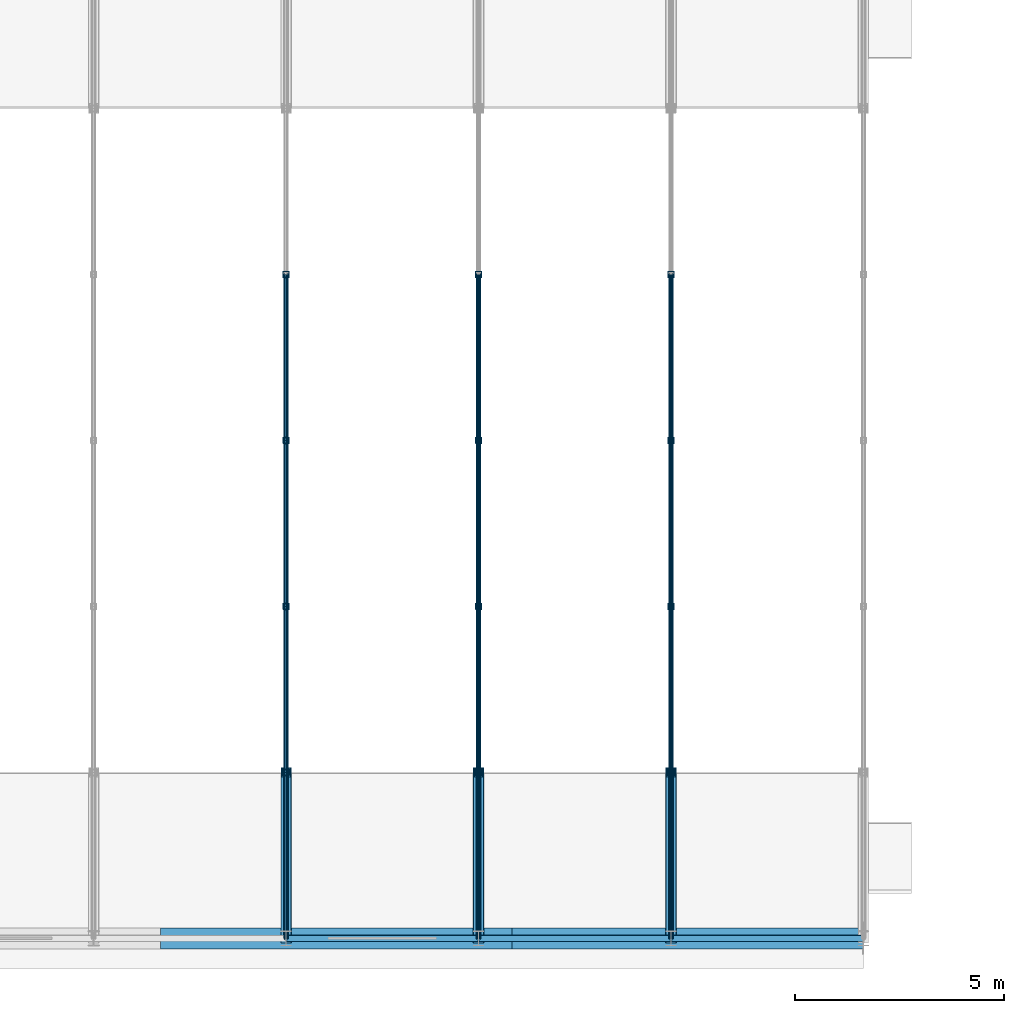
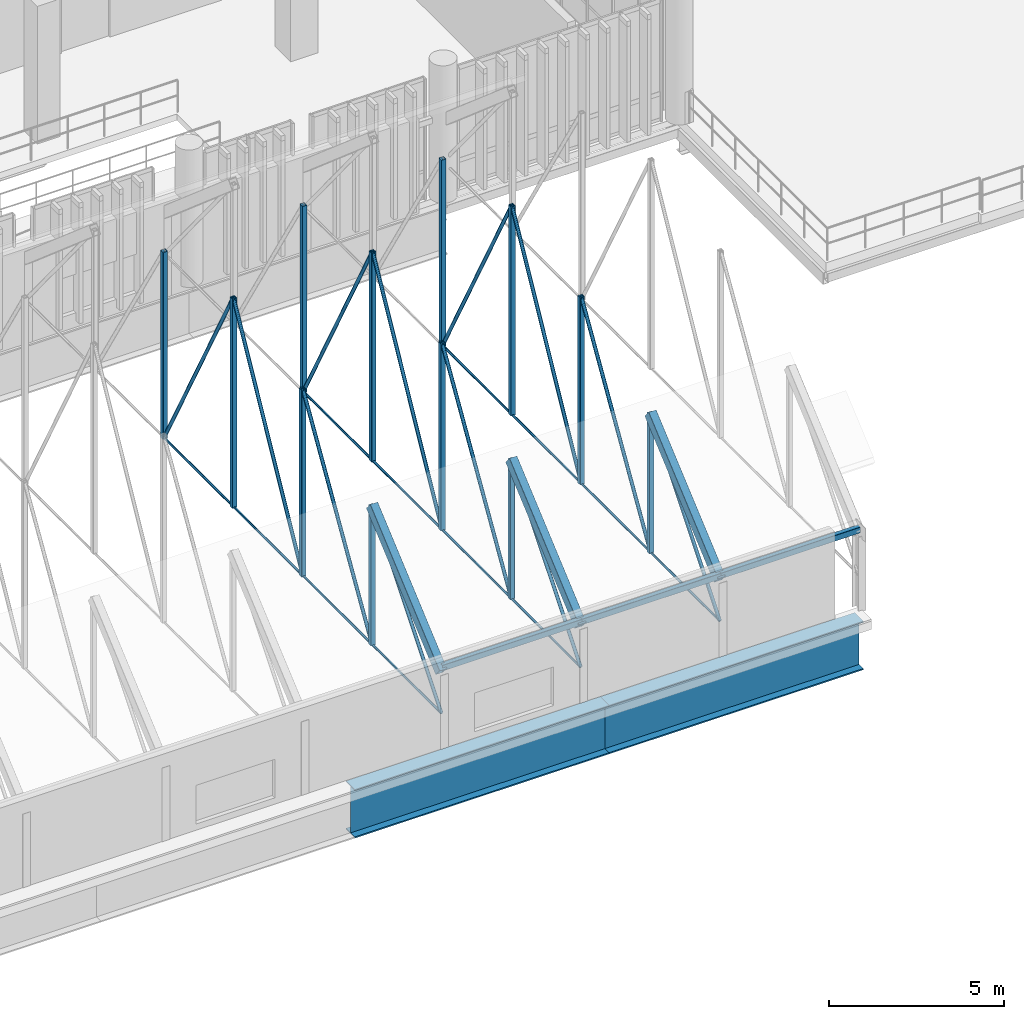
# One storey, part 13 of 109: 39 members, 5 beams.
"""IFC4 building model written with IfcOpenShell, lengths in metres."""

from ifc_helpers import new_model, si_unit, direction, frame, origin_with_axes, origin_2d_with_axis, place, context, subcontext, project, spatial, hollow_rectangle, circle, hollow_circle, i_section, extrude, material, material_profile, profile_set, type_object, element, save


model = new_model("IFC4")

# Units and contexts
model_context = context("Model", 3, precision=1e-05, world=origin_with_axes(), true_north=direction((0.0, 1.0)))
body_context = subcontext(model_context, "Body", "Model", "MODEL_VIEW")
ifc_project = project(units=[si_unit("LENGTHUNIT", "METRE"), si_unit("AREAUNIT", "SQUARE_METRE"), si_unit("VOLUMEUNIT", "CUBIC_METRE"), si_unit("PLANEANGLEUNIT", "RADIAN"), si_unit("MASSUNIT", "GRAM", prefix="KILO"), si_unit("THERMODYNAMICTEMPERATUREUNIT", "KELVIN")], contexts=[model_context])

# Site, building, storey
site_placement = place(None, origin_with_axes())
site = spatial("IfcSite", under=ifc_project, at=site_placement, CompositionType="ELEMENT")
building_placement = place(site_placement, origin_with_axes())
building = spatial("IfcBuilding", under=site, at=building_placement, Name="Montbau Bow Law Courts", CompositionType="ELEMENT")
storey_placement = place(building_placement, frame((0.0, 0.0, 10.8), z_axis=(0.0, 0.0, 1.0), x_axis=(1.0, 0.0, 0.0)))
storey = spatial("IfcBuildingStorey", under=building, at=storey_placement, Name="L02", CompositionType="ELEMENT", Elevation=10.8)

# Beams
ifc_material = material(Name="Steel CSA G40.21 Grade 350WT (350 MPa)", Category="steel")
ifc_material_profile_1 = material_profile(ifc_material, hollow_rectangle(XDim=0.254, YDim=0.356, WallThickness=0.0127, InnerFilletRadius=0.0254, OuterFilletRadius=0.0127, at=origin_2d_with_axis()), Name="HSS356X254X13", Category="Main", Priority=0)
ifc_profile_set_1 = profile_set([ifc_material_profile_1], Name="Steel CSA G40.21 Grade 350WT (350 MPa)")
beam_type_1 = type_object("IfcBeamType", Name="B-ARC-01", PredefinedType="USERDEFINED", material=ifc_profile_set_1)
for number, where, z_axis, x_axis, name in (
    (1, (25.2, 6.8, 13.429), (0.0, 0.758621798, 0.651531249), (-1.0, 0.0, 0.0), "Barrel vault roof truss arch rib V1-025"),
    (2, (29.8, 6.8, 13.429), (0.0, 0.758621798, 0.651531249), (-1.0, 0.0, 0.0), "Barrel vault roof truss arch rib V1-031"),
    (3, (34.4, 6.8, 13.429), (0.0, 0.758621798, 0.651531249), (-1.0, 0.0, 0.0), "Barrel vault roof truss arch rib V1-037"),
):
    element("IfcBeam", number, at=place(None, frame(where, z_axis=z_axis, x_axis=x_axis)), inside=storey, type_object=beam_type_1, Name=name, ObjectType="ARCH_RIB", PredefinedType="USERDEFINED", context=body_context, shape_type="SweptSolid", body=[
        extrude(hollow_rectangle(XDim=0.254, YDim=0.356, WallThickness=0.0127, InnerFilletRadius=0.0254, OuterFilletRadius=0.0127, at=origin_2d_with_axis()), origin_with_axes(), (0.0, 0.0, 1.0), 5.22922),
    ])
ifc_material_profile_2 = material_profile(ifc_material, i_section(OverallWidth=0.5, OverallDepth=1.7, WebThickness=0.02, FlangeThickness=0.045, at=origin_2d_with_axis()), Name="WWF1700X480", Category="Main", Priority=0)
ifc_profile_set_2 = profile_set([ifc_material_profile_2], Name="Steel CSA G40.21 Grade 350WT (350 MPa)")
beam_type_2 = type_object("IfcBeamType", Name="B-TRG-02", PredefinedType="USERDEFINED", material=ifc_profile_set_2)
for number, where, z_axis, x_axis, name in (
    (4, (22.2, 6.8, 9.66), (1.0, 0.0, 0.0), (0.0, 1.0, 0.0), "VRG-L02-S0003:bm2_0006"),
    (5, (30.6, 6.8, 9.66), (1.0, 0.0, 0.0), (0.0, 1.0, 0.0), "VRG-L02-S0004:bm2_0007"),
):
    element("IfcBeam", number, at=place(None, frame(where, z_axis=z_axis, x_axis=x_axis)), inside=storey, type_object=beam_type_2, Name=name, ObjectType="GIRDER", PredefinedType="USERDEFINED", context=body_context, shape_type="SweptSolid", body=[
        extrude(i_section(OverallWidth=0.5, OverallDepth=1.7, WebThickness=0.02, FlangeThickness=0.045, at=origin_2d_with_axis()), origin_with_axes(), (0.0, 0.0, 1.0), 8.4),
    ])

# Members
ifc_material_profile_3 = material_profile(ifc_material, hollow_rectangle(XDim=0.152, YDim=0.203, WallThickness=0.0095, InnerFilletRadius=0.019, OuterFilletRadius=0.0095, at=origin_2d_with_axis()), Name="HSS203X152X9.5", Category="Main", Priority=0)
ifc_profile_set_3 = profile_set([ifc_material_profile_3], Name="Steel CSA G40.21 Grade 350WT (350 MPa)")
member_type_1 = type_object("IfcMemberType", Name="M-PUR-01", PredefinedType="PURLIN", material=ifc_profile_set_3)
for number, where, z_axis, x_axis, name in (
    (6, (25.2, 6.8, 13.587), (1.0, 0.0, 0.0), (0.0, 1.0, 0.0), "Barrel vault roof truss purlin V1-029"),
    (7, (29.8, 6.8, 13.587), (1.0, 0.0, 0.0), (0.0, 1.0, 0.0), "Barrel vault roof truss purlin V1-036"),
    (8, (34.4, 6.8, 13.587), (1.0, 0.0, 0.0), (0.0, 1.0, 0.0), "Barrel vault roof truss purlin V1-043"),
):
    element("IfcMember", number, at=place(None, frame(where, z_axis=z_axis, x_axis=x_axis)), inside=storey, type_object=member_type_1, Name=name, PredefinedType="PURLIN", context=body_context, shape_type="SweptSolid", body=[
        extrude(hollow_rectangle(XDim=0.152, YDim=0.203, WallThickness=0.0095, InnerFilletRadius=0.019, OuterFilletRadius=0.0095, at=origin_2d_with_axis()), origin_with_axes(), (0.0, 0.0, 1.0), 4.6),
    ])
ifc_material_profile_4 = material_profile(ifc_material, hollow_rectangle(XDim=0.152, YDim=0.152, WallThickness=0.0095, InnerFilletRadius=0.019, OuterFilletRadius=0.0095, at=origin_2d_with_axis()), Name="HSS152X152X9.5", Category="Main", Priority=0)
ifc_profile_set_4 = profile_set([ifc_material_profile_4], Name="Steel CSA G40.21 Grade 350WT (350 MPa)")
member_type_2 = type_object("IfcMemberType", Name="M-STR-02", PredefinedType="STRUT", material=ifc_profile_set_4)
member_1_placement = place(None, frame((25.2, 10.767, 11.979), z_axis=(0.0, 0.0, 1.0), x_axis=(1.0, 0.0, 0.0)))
element("IfcMember", 9, at=member_1_placement, inside=storey, type_object=member_type_2, Name="Barrel vault roof truss web post V1-05-1", PredefinedType="STRUT", context=body_context, shape_type="SweptSolid", body=[
    extrude(hollow_rectangle(XDim=0.152, YDim=0.152, WallThickness=0.0095, InnerFilletRadius=0.019, OuterFilletRadius=0.0095, at=origin_2d_with_axis()), origin_with_axes(), (0.0, 0.0, 1.0), 4.857),
])
member_2_placement = place(None, frame((25.2, 14.733, 11.979), z_axis=(0.0, 0.0, 1.0), x_axis=(1.0, 0.0, 0.0)))
element("IfcMember", 10, at=member_2_placement, inside=storey, type_object=member_type_2, Name="Barrel vault roof truss web post V1-05-2", PredefinedType="STRUT", context=body_context, shape_type="SweptSolid", body=[
    extrude(hollow_rectangle(XDim=0.152, YDim=0.152, WallThickness=0.0095, InnerFilletRadius=0.019, OuterFilletRadius=0.0095, at=origin_2d_with_axis()), origin_with_axes(), (0.0, 0.0, 1.0), 6.532),
])
member_3_placement = place(None, frame((25.2, 18.7, 11.979), z_axis=(0.0, 0.0, 1.0), x_axis=(1.0, 0.0, 0.0)))
element("IfcMember", 11, at=member_3_placement, inside=storey, type_object=member_type_2, Name="Barrel vault roof truss web post V1-05-3", PredefinedType="STRUT", context=body_context, shape_type="SweptSolid", body=[
    extrude(hollow_rectangle(XDim=0.152, YDim=0.152, WallThickness=0.0095, InnerFilletRadius=0.019, OuterFilletRadius=0.0095, at=origin_2d_with_axis()), origin_with_axes(), (0.0, 0.0, 1.0), 7.306),
])
member_4_placement = place(None, frame((25.2, 22.667, 11.979), z_axis=(0.0, 0.0, 1.0), x_axis=(1.0, 0.0, 0.0)))
element("IfcMember", 12, at=member_4_placement, inside=storey, type_object=member_type_2, Name="Barrel vault roof truss web post V1-05-4", PredefinedType="STRUT", context=body_context, shape_type="SweptSolid", body=[
    extrude(hollow_rectangle(XDim=0.152, YDim=0.152, WallThickness=0.0095, InnerFilletRadius=0.019, OuterFilletRadius=0.0095, at=origin_2d_with_axis()), origin_with_axes(), (0.0, 0.0, 1.0), 6.532),
])
member_5_placement = place(None, frame((29.8, 10.767, 11.979), z_axis=(0.0, 0.0, 1.0), x_axis=(1.0, 0.0, 0.0)))
element("IfcMember", 13, at=member_5_placement, inside=storey, type_object=member_type_2, Name="Barrel vault roof truss web post V1-06-1", PredefinedType="STRUT", context=body_context, shape_type="SweptSolid", body=[
    extrude(hollow_rectangle(XDim=0.152, YDim=0.152, WallThickness=0.0095, InnerFilletRadius=0.019, OuterFilletRadius=0.0095, at=origin_2d_with_axis()), origin_with_axes(), (0.0, 0.0, 1.0), 4.857),
])
member_6_placement = place(None, frame((29.8, 14.733, 11.979), z_axis=(0.0, 0.0, 1.0), x_axis=(1.0, 0.0, 0.0)))
element("IfcMember", 14, at=member_6_placement, inside=storey, type_object=member_type_2, Name="Barrel vault roof truss web post V1-06-2", PredefinedType="STRUT", context=body_context, shape_type="SweptSolid", body=[
    extrude(hollow_rectangle(XDim=0.152, YDim=0.152, WallThickness=0.0095, InnerFilletRadius=0.019, OuterFilletRadius=0.0095, at=origin_2d_with_axis()), origin_with_axes(), (0.0, 0.0, 1.0), 6.532),
])
member_7_placement = place(None, frame((29.8, 18.7, 11.979), z_axis=(0.0, 0.0, 1.0), x_axis=(1.0, 0.0, 0.0)))
element("IfcMember", 15, at=member_7_placement, inside=storey, type_object=member_type_2, Name="Barrel vault roof truss web post V1-06-3", PredefinedType="STRUT", context=body_context, shape_type="SweptSolid", body=[
    extrude(hollow_rectangle(XDim=0.152, YDim=0.152, WallThickness=0.0095, InnerFilletRadius=0.019, OuterFilletRadius=0.0095, at=origin_2d_with_axis()), origin_with_axes(), (0.0, 0.0, 1.0), 7.306),
])
member_8_placement = place(None, frame((29.8, 22.667, 11.979), z_axis=(0.0, 0.0, 1.0), x_axis=(1.0, 0.0, 0.0)))
element("IfcMember", 16, at=member_8_placement, inside=storey, type_object=member_type_2, Name="Barrel vault roof truss web post V1-06-4", PredefinedType="STRUT", context=body_context, shape_type="SweptSolid", body=[
    extrude(hollow_rectangle(XDim=0.152, YDim=0.152, WallThickness=0.0095, InnerFilletRadius=0.019, OuterFilletRadius=0.0095, at=origin_2d_with_axis()), origin_with_axes(), (0.0, 0.0, 1.0), 6.532),
])
member_9_placement = place(None, frame((34.4, 10.767, 11.979), z_axis=(0.0, 0.0, 1.0), x_axis=(1.0, 0.0, 0.0)))
element("IfcMember", 17, at=member_9_placement, inside=storey, type_object=member_type_2, Name="Barrel vault roof truss web post V1-07-1", PredefinedType="STRUT", context=body_context, shape_type="SweptSolid", body=[
    extrude(hollow_rectangle(XDim=0.152, YDim=0.152, WallThickness=0.0095, InnerFilletRadius=0.019, OuterFilletRadius=0.0095, at=origin_2d_with_axis()), origin_with_axes(), (0.0, 0.0, 1.0), 4.857),
])
member_10_placement = place(None, frame((34.4, 14.733, 11.979), z_axis=(0.0, 0.0, 1.0), x_axis=(1.0, 0.0, 0.0)))
element("IfcMember", 18, at=member_10_placement, inside=storey, type_object=member_type_2, Name="Barrel vault roof truss web post V1-07-2", PredefinedType="STRUT", context=body_context, shape_type="SweptSolid", body=[
    extrude(hollow_rectangle(XDim=0.152, YDim=0.152, WallThickness=0.0095, InnerFilletRadius=0.019, OuterFilletRadius=0.0095, at=origin_2d_with_axis()), origin_with_axes(), (0.0, 0.0, 1.0), 6.532),
])
member_11_placement = place(None, frame((34.4, 18.7, 11.979), z_axis=(0.0, 0.0, 1.0), x_axis=(1.0, 0.0, 0.0)))
element("IfcMember", 19, at=member_11_placement, inside=storey, type_object=member_type_2, Name="Barrel vault roof truss web post V1-07-3", PredefinedType="STRUT", context=body_context, shape_type="SweptSolid", body=[
    extrude(hollow_rectangle(XDim=0.152, YDim=0.152, WallThickness=0.0095, InnerFilletRadius=0.019, OuterFilletRadius=0.0095, at=origin_2d_with_axis()), origin_with_axes(), (0.0, 0.0, 1.0), 7.306),
])
member_12_placement = place(None, frame((34.4, 22.667, 11.979), z_axis=(0.0, 0.0, 1.0), x_axis=(1.0, 0.0, 0.0)))
element("IfcMember", 20, at=member_12_placement, inside=storey, type_object=member_type_2, Name="Barrel vault roof truss web post V1-07-4", PredefinedType="STRUT", context=body_context, shape_type="SweptSolid", body=[
    extrude(hollow_rectangle(XDim=0.152, YDim=0.152, WallThickness=0.0095, InnerFilletRadius=0.019, OuterFilletRadius=0.0095, at=origin_2d_with_axis()), origin_with_axes(), (0.0, 0.0, 1.0), 6.532),
])
ifc_material_profile_5 = material_profile(ifc_material, hollow_circle(Radius=0.057, WallThickness=0.008, at=origin_2d_with_axis()), Name="HSS114X8.0", Category="Main", Priority=0)
ifc_profile_set_5 = profile_set([ifc_material_profile_5], Name="Steel CSA G40.21 Grade 350WT (350 MPa)")
member_type_3 = type_object("IfcMemberType", Name="M-STR-03", PredefinedType="STRUT", material=ifc_profile_set_5)
member_13_placement = place(None, frame((25.2, 6.8, 11.979), z_axis=(0.0, 0.632577617, 0.774496971), x_axis=(-1.0, 0.0, 0.0)))
element("IfcMember", 21, at=member_13_placement, inside=storey, type_object=member_type_3, Name="Barrel vault roof truss web diagonal V1-05-1", PredefinedType="STRUT", context=body_context, shape_type="SweptSolid", body=[
    extrude(hollow_circle(Radius=0.057, WallThickness=0.008, at=origin_2d_with_axis()), origin_with_axes(), (0.0, 0.0, 1.0), 6.271167),
])
member_14_placement = place(None, frame((25.2, 10.767, 11.979), z_axis=(0.0, 0.518991793, 0.854779222), x_axis=(-1.0, 0.0, 0.0)))
element("IfcMember", 22, at=member_14_placement, inside=storey, type_object=member_type_3, Name="Barrel vault roof truss web diagonal V1-05-2", PredefinedType="STRUT", context=body_context, shape_type="SweptSolid", body=[
    extrude(hollow_circle(Radius=0.057, WallThickness=0.008, at=origin_2d_with_axis()), origin_with_axes(), (0.0, 0.0, 1.0), 7.641739),
])
for number, where, z_axis, x_axis, name in (
    (23, (25.2, 14.733, 11.979), (0.0, 0.47717415, 0.878808757), (-1.0, 0.0, 0.0), "Barrel vault roof truss web diagonal V1-05-3"),
    (24, (25.2, 18.7, 19.285), (0.0, 0.47717415, -0.878808757), (-1.0, 0.0, 0.0), "Barrel vault roof truss web diagonal V1-05-4"),
):
    element("IfcMember", number, at=place(None, frame(where, z_axis=z_axis, x_axis=x_axis)), inside=storey, type_object=member_type_3, Name=name, PredefinedType="STRUT", context=body_context, shape_type="SweptSolid", body=[
        extrude(hollow_circle(Radius=0.057, WallThickness=0.008, at=origin_2d_with_axis()), origin_with_axes(), (0.0, 0.0, 1.0), 8.313527),
    ])
member_15_placement = place(None, frame((29.8, 6.8, 11.979), z_axis=(0.0, 0.632577617, 0.774496971), x_axis=(-1.0, 0.0, 0.0)))
element("IfcMember", 25, at=member_15_placement, inside=storey, type_object=member_type_3, Name="Barrel vault roof truss web diagonal V1-06-1", PredefinedType="STRUT", context=body_context, shape_type="SweptSolid", body=[
    extrude(hollow_circle(Radius=0.057, WallThickness=0.008, at=origin_2d_with_axis()), origin_with_axes(), (0.0, 0.0, 1.0), 6.271167),
])
member_16_placement = place(None, frame((29.8, 10.767, 11.979), z_axis=(0.0, 0.518991793, 0.854779222), x_axis=(-1.0, 0.0, 0.0)))
element("IfcMember", 26, at=member_16_placement, inside=storey, type_object=member_type_3, Name="Barrel vault roof truss web diagonal V1-06-2", PredefinedType="STRUT", context=body_context, shape_type="SweptSolid", body=[
    extrude(hollow_circle(Radius=0.057, WallThickness=0.008, at=origin_2d_with_axis()), origin_with_axes(), (0.0, 0.0, 1.0), 7.641739),
])
for number, where, z_axis, x_axis, name in (
    (27, (29.8, 14.733, 11.979), (0.0, 0.47717415, 0.878808757), (-1.0, 0.0, 0.0), "Barrel vault roof truss web diagonal V1-06-3"),
    (28, (29.8, 18.7, 19.285), (0.0, 0.47717415, -0.878808757), (-1.0, 0.0, 0.0), "Barrel vault roof truss web diagonal V1-06-4"),
):
    element("IfcMember", number, at=place(None, frame(where, z_axis=z_axis, x_axis=x_axis)), inside=storey, type_object=member_type_3, Name=name, PredefinedType="STRUT", context=body_context, shape_type="SweptSolid", body=[
        extrude(hollow_circle(Radius=0.057, WallThickness=0.008, at=origin_2d_with_axis()), origin_with_axes(), (0.0, 0.0, 1.0), 8.313527),
    ])
member_17_placement = place(None, frame((34.4, 6.8, 11.979), z_axis=(0.0, 0.632577617, 0.774496971), x_axis=(-1.0, 0.0, 0.0)))
element("IfcMember", 29, at=member_17_placement, inside=storey, type_object=member_type_3, Name="Barrel vault roof truss web diagonal V1-07-1", PredefinedType="STRUT", context=body_context, shape_type="SweptSolid", body=[
    extrude(hollow_circle(Radius=0.057, WallThickness=0.008, at=origin_2d_with_axis()), origin_with_axes(), (0.0, 0.0, 1.0), 6.271167),
])
member_18_placement = place(None, frame((34.4, 10.767, 11.979), z_axis=(0.0, 0.518991793, 0.854779222), x_axis=(-1.0, 0.0, 0.0)))
element("IfcMember", 30, at=member_18_placement, inside=storey, type_object=member_type_3, Name="Barrel vault roof truss web diagonal V1-07-2", PredefinedType="STRUT", context=body_context, shape_type="SweptSolid", body=[
    extrude(hollow_circle(Radius=0.057, WallThickness=0.008, at=origin_2d_with_axis()), origin_with_axes(), (0.0, 0.0, 1.0), 7.641739),
])
for number, where, z_axis, x_axis, name in (
    (31, (34.4, 14.733, 11.979), (0.0, 0.47717415, 0.878808757), (-1.0, 0.0, 0.0), "Barrel vault roof truss web diagonal V1-07-3"),
    (32, (34.4, 18.7, 19.285), (0.0, 0.47717415, -0.878808757), (-1.0, 0.0, 0.0), "Barrel vault roof truss web diagonal V1-07-4"),
):
    element("IfcMember", number, at=place(None, frame(where, z_axis=z_axis, x_axis=x_axis)), inside=storey, type_object=member_type_3, Name=name, PredefinedType="STRUT", context=body_context, shape_type="SweptSolid", body=[
        extrude(hollow_circle(Radius=0.057, WallThickness=0.008, at=origin_2d_with_axis()), origin_with_axes(), (0.0, 0.0, 1.0), 8.313527),
    ])
ifc_material_profile_6 = material_profile(ifc_material, circle(Radius=0.038, at=origin_2d_with_axis()), Name="ROD76", Category="Main", Priority=0)
ifc_profile_set_6 = profile_set([ifc_material_profile_6], Name="Steel CSA G40.21 Grade 350WT (350 MPa)")
member_type_4 = type_object("IfcMemberType", Name="M-TIE-01", PredefinedType="USERDEFINED", material=ifc_profile_set_6)
member_19_placement = place(None, frame((25.2, 6.8, 11.979), z_axis=(0.0, 1.0, 0.0), x_axis=(-1.0, 0.0, 0.0)))
element("IfcMember", 33, at=member_19_placement, inside=storey, type_object=member_type_4, Name="Barrel vault roof truss tie V1-025", ObjectType="TIEBAR", PredefinedType="USERDEFINED", context=body_context, shape_type="SweptSolid", body=[
    extrude(circle(Radius=0.038, at=origin_2d_with_axis()), origin_with_axes(), (0.0, 0.0, 1.0), 3.967),
])
member_20_placement = place(None, frame((25.2, 10.767, 11.979), z_axis=(0.0, 1.0, 0.0), x_axis=(-1.0, 0.0, 0.0)))
element("IfcMember", 34, at=member_20_placement, inside=storey, type_object=member_type_4, Name="Barrel vault roof truss tie V1-026", ObjectType="TIEBAR", PredefinedType="USERDEFINED", context=body_context, shape_type="SweptSolid", body=[
    extrude(circle(Radius=0.038, at=origin_2d_with_axis()), origin_with_axes(), (0.0, 0.0, 1.0), 3.966),
])
for number, where, z_axis, x_axis, name in (
    (35, (25.2, 14.733, 11.979), (0.0, 1.0, 0.0), (-1.0, 0.0, 0.0), "Barrel vault roof truss tie V1-027"),
    (36, (25.2, 18.7, 11.979), (0.0, 1.0, 0.0), (-1.0, 0.0, 0.0), "Barrel vault roof truss tie V1-028"),
    (37, (29.8, 6.8, 11.979), (0.0, 1.0, 0.0), (-1.0, 0.0, 0.0), "Barrel vault roof truss tie V1-031"),
):
    element("IfcMember", number, at=place(None, frame(where, z_axis=z_axis, x_axis=x_axis)), inside=storey, type_object=member_type_4, Name=name, ObjectType="TIEBAR", PredefinedType="USERDEFINED", context=body_context, shape_type="SweptSolid", body=[
        extrude(circle(Radius=0.038, at=origin_2d_with_axis()), origin_with_axes(), (0.0, 0.0, 1.0), 3.967),
    ])
member_21_placement = place(None, frame((29.8, 10.767, 11.979), z_axis=(0.0, 1.0, 0.0), x_axis=(-1.0, 0.0, 0.0)))
element("IfcMember", 38, at=member_21_placement, inside=storey, type_object=member_type_4, Name="Barrel vault roof truss tie V1-032", ObjectType="TIEBAR", PredefinedType="USERDEFINED", context=body_context, shape_type="SweptSolid", body=[
    extrude(circle(Radius=0.038, at=origin_2d_with_axis()), origin_with_axes(), (0.0, 0.0, 1.0), 3.966),
])
for number, where, z_axis, x_axis, name in (
    (39, (29.8, 14.733, 11.979), (0.0, 1.0, 0.0), (-1.0, 0.0, 0.0), "Barrel vault roof truss tie V1-033"),
    (40, (29.8, 18.7, 11.979), (0.0, 1.0, 0.0), (-1.0, 0.0, 0.0), "Barrel vault roof truss tie V1-034"),
    (41, (34.4, 6.8, 11.979), (0.0, 1.0, 0.0), (-1.0, 0.0, 0.0), "Barrel vault roof truss tie V1-037"),
):
    element("IfcMember", number, at=place(None, frame(where, z_axis=z_axis, x_axis=x_axis)), inside=storey, type_object=member_type_4, Name=name, ObjectType="TIEBAR", PredefinedType="USERDEFINED", context=body_context, shape_type="SweptSolid", body=[
        extrude(circle(Radius=0.038, at=origin_2d_with_axis()), origin_with_axes(), (0.0, 0.0, 1.0), 3.967),
    ])
member_22_placement = place(None, frame((34.4, 10.767, 11.979), z_axis=(0.0, 1.0, 0.0), x_axis=(-1.0, 0.0, 0.0)))
element("IfcMember", 42, at=member_22_placement, inside=storey, type_object=member_type_4, Name="Barrel vault roof truss tie V1-038", ObjectType="TIEBAR", PredefinedType="USERDEFINED", context=body_context, shape_type="SweptSolid", body=[
    extrude(circle(Radius=0.038, at=origin_2d_with_axis()), origin_with_axes(), (0.0, 0.0, 1.0), 3.966),
])
for number, where, z_axis, x_axis, name in (
    (43, (34.4, 14.733, 11.979), (0.0, 1.0, 0.0), (-1.0, 0.0, 0.0), "Barrel vault roof truss tie V1-039"),
    (44, (34.4, 18.7, 11.979), (0.0, 1.0, 0.0), (-1.0, 0.0, 0.0), "Barrel vault roof truss tie V1-040"),
):
    element("IfcMember", number, at=place(None, frame(where, z_axis=z_axis, x_axis=x_axis)), inside=storey, type_object=member_type_4, Name=name, ObjectType="TIEBAR", PredefinedType="USERDEFINED", context=body_context, shape_type="SweptSolid", body=[
        extrude(circle(Radius=0.038, at=origin_2d_with_axis()), origin_with_axes(), (0.0, 0.0, 1.0), 3.967),
    ])

save(model, "model.ifc")
